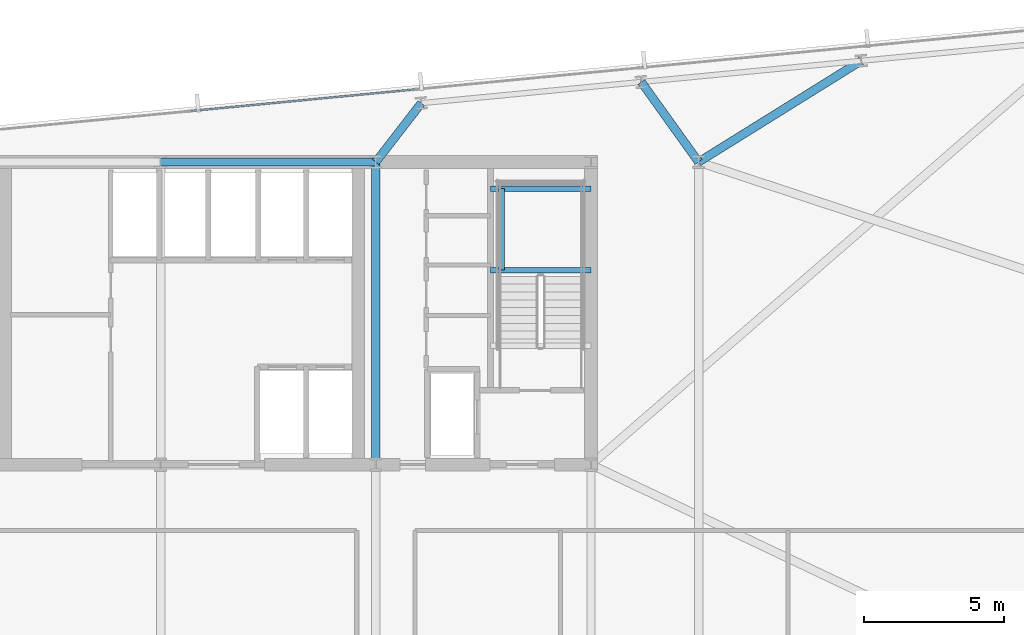
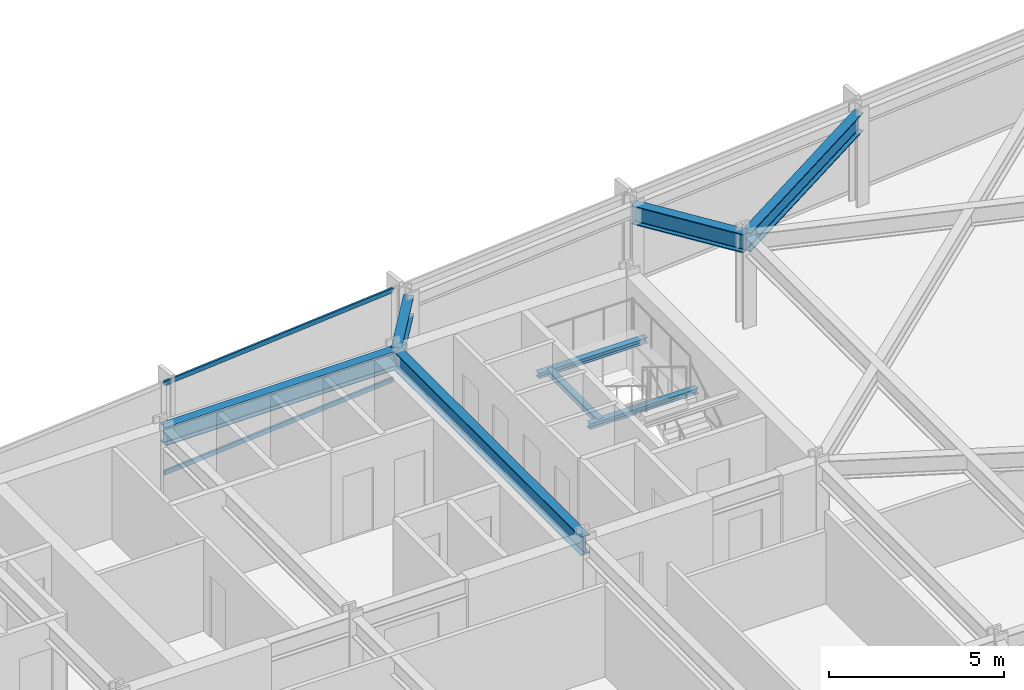
# One storey, part 20 of 32: 8 beams, 2 members, 1 element without a shape of its own.
"""IFC4 building model written with IfcOpenShell, lengths in metres."""

from ifc_helpers import new_model, si_unit, direction, frame, origin, origin_2d, place, context, subcontext, project, spatial, hollow_rectangle, i_section, extrude, material, material_profile, profile_set, type_object, element, aggregate, save


model = new_model("IFC4")

# Units and contexts
model_context = context("Model", 3, precision=1e-05, world=origin(), true_north=direction((0.0, 1.0)))
body_context = subcontext(model_context, "Body", "Model", "MODEL_VIEW")
ifc_project = project(units=[si_unit("LENGTHUNIT", "METRE"), si_unit("AREAUNIT", "SQUARE_METRE"), si_unit("VOLUMEUNIT", "CUBIC_METRE"), si_unit("PLANEANGLEUNIT", "RADIAN"), si_unit("MASSUNIT", "GRAM", prefix="KILO")], contexts=[model_context])

# Site, building, storey
site_placement = place(None, origin())
site = spatial("IfcSite", under=ifc_project, at=site_placement, CompositionType="ELEMENT")
building_placement = place(site_placement, origin())
building = spatial("IfcBuilding", under=site, at=building_placement, Name="Yelkora Congress Tower", CompositionType="ELEMENT")
storey_placement = place(building_placement, frame((0.0, 0.0, 99.89990234375)))
storey = spatial("IfcBuildingStorey", under=building, at=storey_placement, Name="L26", CompositionType="ELEMENT", Elevation=99.89990234375)

# Beams
ifc_material_1 = material(Name="Steel S355J2", Category="steel")
ifc_material_profile_1 = material_profile(ifc_material_1, i_section(OverallWidth=0.300048828125, OverallDepth=0.64990234375, WebThickness=0.01611328125, FlangeThickness=0.031005859375, FilletRadius=0.027099609375, at=origin_2d()), Name="HEB 650")
ifc_profile_set_1 = profile_set([ifc_material_profile_1], Name="Steel S355J2")
beam_type_1 = type_object("IfcBeamType", Name="BM-GIRD-HEB650", PredefinedType="BEAM", material=ifc_profile_set_1)
beam_1_placement = place(storey_placement, frame((38.39990234375, 46.199951171875, 2.85498046875), z_axis=(1.0, 0.0, 0.0), x_axis=(0.0, 1.0, 0.0)))
element("IfcBeam", 1, at=beam_1_placement, inside=storey, type_object=beam_type_1, Name="L26 Core North Girder 4", PredefinedType="BEAM", context=body_context, shape_type="SweptSolid", body=[
    extrude(i_section(OverallWidth=0.300048828125, OverallDepth=0.64990234375, WebThickness=0.01611328125, FlangeThickness=0.031005859375, FilletRadius=0.027099609375, at=origin_2d()), origin(), (0.0, 0.0, 1.0), 7.68017578125),
])
beam_2_placement = place(storey_placement, frame((46.080078125, 35.39990234375, 2.85498046875), z_axis=(0.0, 1.0, 0.0), x_axis=(-1.0, 0.0, 0.0)))
element("IfcBeam", 2, at=beam_2_placement, inside=storey, type_object=beam_type_1, Name="L26 Core Tie Girder MC-S4", PredefinedType="BEAM", context=body_context, shape_type="SweptSolid", body=[
    extrude(i_section(OverallWidth=0.300048828125, OverallDepth=0.64990234375, WebThickness=0.01611328125, FlangeThickness=0.031005859375, FilletRadius=0.027099609375, at=origin_2d()), origin(), (0.0, 0.0, 1.0), 10.800048828125),
])
beam_3_placement = place(storey_placement, frame((47.70458984375, 48.300537109375, 2.85498046875), z_axis=(-0.611761448665, -0.791042306029, 0.0), x_axis=(0.791042306029, -0.611761448665, 0.0)))
element("IfcBeam", 3, at=beam_3_placement, inside=storey, type_object=beam_type_1, Name="L26 Primary Frame Girder N05", PredefinedType="BEAM", context=body_context, shape_type="SweptSolid", body=[
    extrude(i_section(OverallWidth=0.300048828125, OverallDepth=0.64990234375, WebThickness=0.01611328125, FlangeThickness=0.031005859375, FilletRadius=0.027099609375, at=origin_2d()), origin(), (0.0, 0.0, 1.0), 2.655517578125),
])
beam_4_placement = place(storey_placement, frame((55.553955078125, 49.056396484375, 2.85498046875), z_axis=(0.582335305303, -0.81294870207, 0.0), x_axis=(0.81294870207, 0.582335305303, 0.0)))
element("IfcBeam", 4, at=beam_4_placement, inside=storey, type_object=beam_type_1, Name="L26 Primary Frame Girder N06", PredefinedType="BEAM", context=body_context, shape_type="SweptSolid", body=[
    extrude(i_section(OverallWidth=0.300048828125, OverallDepth=0.64990234375, WebThickness=0.01611328125, FlangeThickness=0.031005859375, FilletRadius=0.027099609375, at=origin_2d()), origin(), (0.0, 0.0, 1.0), 3.513671875),
])
beam_5_placement = place(storey_placement, frame((63.4033203125, 49.81201171875, 2.85498046875), z_axis=(-0.848980050527, -0.528424898929, 0.0), x_axis=(0.528424898929, -0.848980050527, 0.0)))
element("IfcBeam", 5, at=beam_5_placement, inside=storey, type_object=beam_type_1, Name="L26 Primary Frame Girder N07", PredefinedType="BEAM", context=body_context, shape_type="SweptSolid", body=[
    extrude(i_section(OverallWidth=0.300048828125, OverallDepth=0.64990234375, WebThickness=0.01611328125, FlangeThickness=0.031005859375, FilletRadius=0.027099609375, at=origin_2d()), origin(), (0.0, 0.0, 1.0), 6.83544921875),
])
ifc_material_profile_2 = material_profile(ifc_material_1, i_section(OverallWidth=0.199951171875, OverallDepth=0.18994140625, WebThickness=0.006591796875, FlangeThickness=0.010009765625, FilletRadius=0.01806640625, at=origin_2d()), Name="HEA 200")
ifc_profile_set_2 = profile_set([ifc_material_profile_2], Name="Steel S355J2")
beam_type_2 = type_object("IfcBeamType", Name="BM-LAND-HEA200", PredefinedType="BEAM", material=ifc_profile_set_2)
for number, where, z_axis, x_axis, name in (
    (6, (50.179931640625, 42.340087890625, 1.384765625), (1.0, 0.0, 0.0), (0.0, 1.0, 0.0), "ST-02 L26 Landing Header Beam 1S"),
    (7, (50.179931640625, 45.25, 1.384765625), (1.0, 0.0, 0.0), (0.0, 1.0, 0.0), "ST-02 L26 Landing Header Beam 1N"),
):
    element("IfcBeam", number, at=place(storey_placement, frame(where, z_axis=z_axis, x_axis=x_axis)), inside=storey, type_object=beam_type_2, Name=name, PredefinedType="BEAM", context=body_context, shape_type="SweptSolid", body=[
        extrude(i_section(OverallWidth=0.199951171875, OverallDepth=0.18994140625, WebThickness=0.006591796875, FlangeThickness=0.010009765625, FilletRadius=0.01806640625, at=origin_2d()), origin(), (0.0, 0.0, 1.0), 3.580078125),
    ])
beam_6_placement = place(storey_placement, frame((50.580078125, 42.340087890625, 1.384765625), z_axis=(0.0, 1.0, 0.0), x_axis=(-1.0, 0.0, 0.0)))
element("IfcBeam", 8, at=beam_6_placement, inside=storey, type_object=beam_type_2, Name="ST-02 L26 Landing Trimmer Beam 1M", PredefinedType="BEAM", context=body_context, shape_type="SweptSolid", body=[
    extrude(i_section(OverallWidth=0.199951171875, OverallDepth=0.18994140625, WebThickness=0.006591796875, FlangeThickness=0.010009765625, FilletRadius=0.01806640625, at=origin_2d()), origin(), (0.0, 0.0, 1.0), 2.909912109375),
])

# Curtain wall, members
ifc_material_2 = material(Name="Anodised aluminium and insulated glass", Category="aluminium")
curtain_wall_type = type_object("IfcCurtainWallType", Name="CW-SYS-B2", PredefinedType="NOTDEFINED", material=ifc_material_2)
curtain_wall_placement = place(storey_placement, origin())
curtain_wall = element("IfcCurtainWall", 9, at=curtain_wall_placement, inside=storey, type_object=curtain_wall_type, Name="L26 Unitised Curtain Wall 10 (3)", PredefinedType="NOTDEFINED")
ifc_material_3 = material(Name="Anodised aluminium 6063-T6", Category="aluminium")
ifc_material_profile_3 = material_profile(ifc_material_3, hollow_rectangle(XDim=0.06494140625, YDim=0.159912109375, WallThickness=0.00390625, at=origin_2d()), Name="ALU 65x160x4")
ifc_profile_set_3 = profile_set([ifc_material_profile_3], Name="Anodised aluminium 6063-T6")
member_type = type_object("IfcMemberType", Name="MEM-TR-B2", PredefinedType="USERDEFINED", material=ifc_profile_set_3)
member_1_placement = place(storey_placement, frame((39.48681640625, 48.021728515625, 0.03271484375), z_axis=(0.995397513894, 0.095832089266, 0.0), x_axis=(-0.095832089266, 0.995397513894, 0.0)))
member_1 = element("IfcMember", 10, at=member_1_placement, type_object=member_type, Name="CW-B2 transom 3.1", ObjectType="TRANSOM", PredefinedType="USERDEFINED", context=body_context, shape_type="SweptSolid", body=[
    extrude(hollow_rectangle(XDim=0.06494140625, YDim=0.159912109375, WallThickness=0.00390625, at=origin_2d()), origin(), (0.0, 0.0, 1.0), 8.007080078125),
])
member_2_placement = place(storey_placement, frame((39.48681640625, 48.021728515625, 3.147705078125), z_axis=(0.995397513894, 0.095832089266, 0.0), x_axis=(-0.095832089266, 0.995397513894, 0.0)))
member_2 = element("IfcMember", 11, at=member_2_placement, type_object=member_type, Name="CW-B2 transom 3.2", ObjectType="TRANSOM", PredefinedType="USERDEFINED", context=body_context, shape_type="SweptSolid", body=[
    extrude(hollow_rectangle(XDim=0.06494140625, YDim=0.159912109375, WallThickness=0.00390625, at=origin_2d()), origin(), (0.0, 0.0, 1.0), 8.007080078125),
])
aggregate(curtain_wall, [member_1, member_2])

save(model, "model.ifc")
